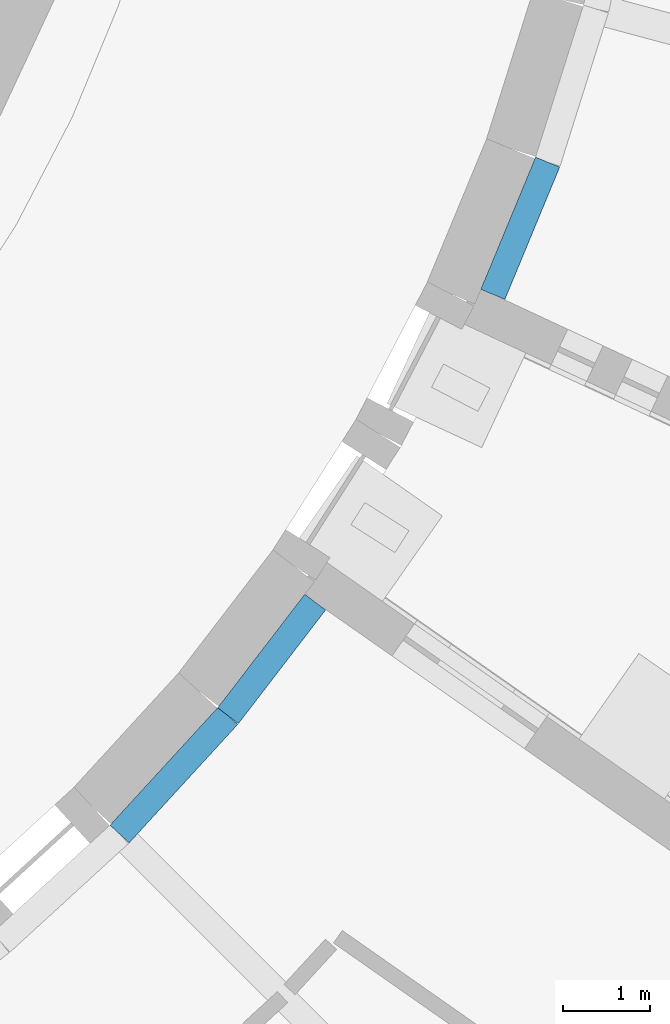
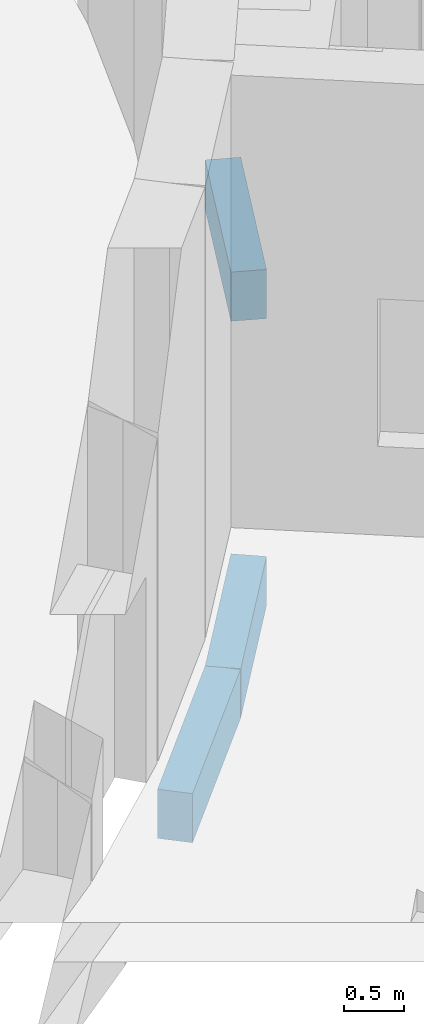
# One storey, part 13 of 85: 3 beams.
"""IFC4 building model written with IfcOpenShell, lengths in metres."""

from ifc_helpers import new_model, si_unit, direction, frame, origin, origin_2d, place, context, subcontext, project, spatial, rectangle, extrude, material, material_profile, profile_set, type_object, element, save


model = new_model("IFC4")

# Units and contexts
model_context = context("Model", 3, precision=1e-05, world=origin(), true_north=direction((0.0, 1.0)))
body_context = subcontext(model_context, "Body", "Model", "MODEL_VIEW")
ifc_project = project(units=[si_unit("LENGTHUNIT", "METRE"), si_unit("AREAUNIT", "SQUARE_METRE"), si_unit("VOLUMEUNIT", "CUBIC_METRE"), si_unit("PLANEANGLEUNIT", "RADIAN"), si_unit("MASSUNIT", "GRAM", prefix="KILO")], contexts=[model_context])

# Site, building, storey
site_placement = place(None, origin())
site = spatial("IfcSite", under=ifc_project, at=site_placement, CompositionType="ELEMENT")
building_placement = place(site_placement, origin())
building = spatial("IfcBuilding", under=site, at=building_placement, Name="Volute Hill Aquarium", CompositionType="ELEMENT")
storey_placement = place(building_placement, origin())
storey = spatial("IfcBuildingStorey", under=building, at=storey_placement, Name="L01", CompositionType="ELEMENT", Elevation=0.0)

# Beams
ifc_material = material(Name="Concrete C35/45", Category="concrete")
ifc_material_profile = material_profile(ifc_material, rectangle(XDim=0.300048828125, YDim=0.5, at=origin_2d()), Name="RC edge beam 300x500")
ifc_profile_set = profile_set([ifc_material_profile], Name="Concrete C35/45")
beam_type = type_object("IfcBeamType", Name="Edge beam 300x500 C35/45", PredefinedType="BEAM", material=ifc_profile_set)
beam_1_placement = place(storey_placement, frame((14.955322265625, -14.955322265625, -0.52001953125), z_axis=(0.675604786356, 0.73726397759, 0.0), x_axis=(-0.73726397759, 0.675604786356, 0.0)))
element("IfcBeam", 1, at=beam_1_placement, inside=storey, type_object=beam_type, Name="bm/S3/L01/edgeD.29", PredefinedType="BEAM", context=body_context, shape_type="SweptSolid", body=[
    extrude(rectangle(XDim=0.300048828125, YDim=0.5, at=origin_2d()), origin(), (0.0, 0.0, 1.0), 1.84521484375),
])
beam_2_placement = place(storey_placement, frame((16.201904296875, -13.594970703125, -0.52001953125), z_axis=(0.608820957391, 0.793307659009, 0.0), x_axis=(-0.793307659009, 0.608820957391, 0.0)))
element("IfcBeam", 2, at=beam_2_placement, inside=storey, type_object=beam_type, Name="bm/S3/L01/edgeD.30", PredefinedType="BEAM", context=body_context, shape_type="SweptSolid", body=[
    extrude(rectangle(XDim=0.300048828125, YDim=0.5, at=origin_2d()), origin(), (0.0, 0.0, 1.0), 1.64501953125),
])
beam_3_placement = place(storey_placement, frame((19.2451171875, -8.75341796875, -0.489990234375), z_axis=(0.382675169935, 0.923882954879, 0.0), x_axis=(-0.923882954879, 0.382675169935, 0.0)))
element("IfcBeam", 3, at=beam_3_placement, inside=storey, type_object=beam_type, Name="bm/S4/L01/edgeD.19", PredefinedType="BEAM", context=body_context, shape_type="SweptSolid", body=[
    extrude(rectangle(XDim=0.300048828125, YDim=0.5, at=origin_2d()), origin(), (0.0, 0.0, 1.0), 1.644775390625),
])

save(model, "model.ifc")
